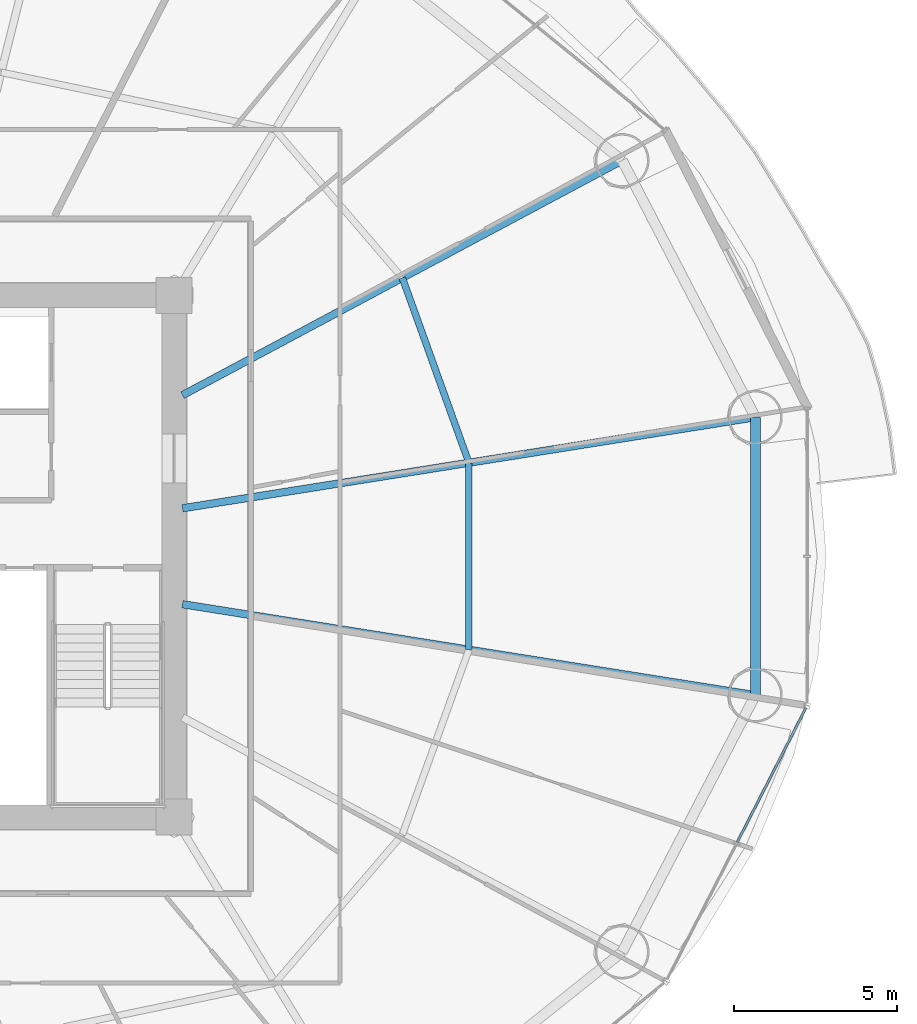
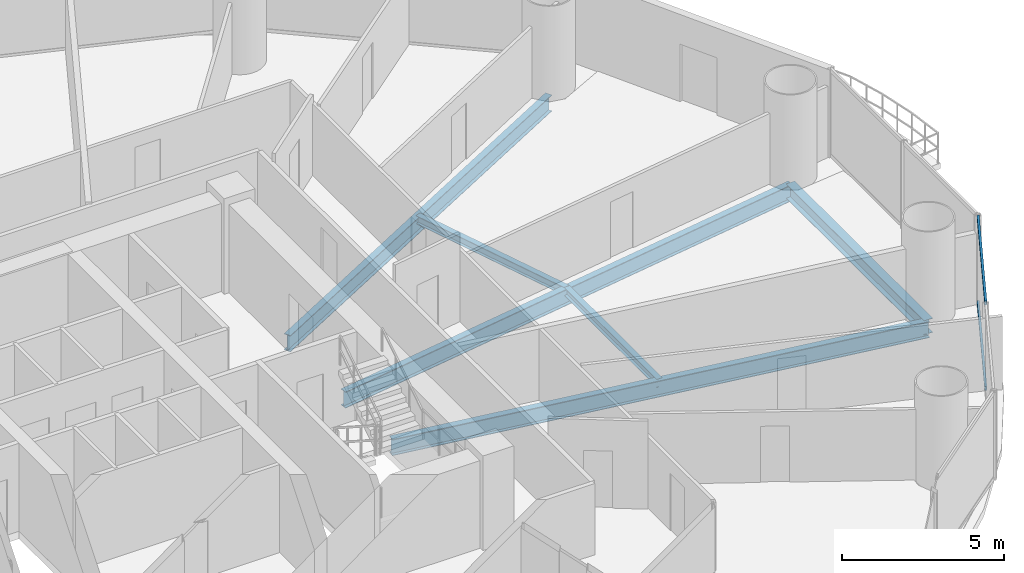
# One storey, part 13 of 30: 6 beams, 2 members, 1 element without a shape of its own.
"""IFC4 building model written with IfcOpenShell, lengths in metres."""

import ifcopenshell
import ifcopenshell.guid

model = None  # the IFC model being written
_history = None  # IfcOwnerHistory: only IFC2X3 demands one
_inside = {}  # id of a spatial element -> (the spatial element, [elements in it])
_under = {}  # id of a project, library or spatial element -> (it, [spatial elements below it])
_declared = {}  # id of a project -> (the project, [libraries it declares])
_typed = {}  # id of a type object -> (the type object, [elements of that type])
_made_of = {}  # id of a material, layer set ... -> (it, [elements and type objects made of it])


def new_model(schema):
    """Start an empty IFC model of exactly this schema.

    Asked for "IFC4X3", IfcOpenShell would pick the latest addendum, in which some entities
    have other attributes; the version numbers below select the first issue.
    IFC2X3 requires an IfcOwnerHistory on every rooted entity: one is made here for all.
    """
    global model, _history
    if schema == "IFC4X3":
        model = ifcopenshell.file(schema_version=(4, 3, 0, 0))
    else:
        model = ifcopenshell.file(schema=schema)
    _inside.clear()
    _under.clear()
    _declared.clear()
    _typed.clear()
    _made_of.clear()
    _history = None
    if model.schema == "IFC2X3":
        org = make("IfcOrganization", Name="unknown")
        user = make(
            "IfcPersonAndOrganization",
            ThePerson=make("IfcPerson", FamilyName="unknown"),
            TheOrganization=org,
        )
        app = make(
            "IfcApplication",
            ApplicationDeveloper=org,
            Version="unknown",
            ApplicationFullName="unknown",
            ApplicationIdentifier="unknown",
        )
        _history = make(
            "IfcOwnerHistory",
            OwningUser=user,
            OwningApplication=app,
            ChangeAction="ADDED",
            CreationDate=0,
        )
    return model


def make(cls, **values):
    """One entity of the class cls with the attributes given. An attribute that is None is left unset."""
    return model.create_entity(
        cls, **{name: value for name, value in values.items() if value is not None}
    )


def rooted(cls, **values):
    """An entity with a GlobalId (a new one), such as an element, a storey or a relation."""
    return make(cls, GlobalId=ifcopenshell.guid.new(), OwnerHistory=_history, **values)


def si_unit(unit_type, name, prefix=None):
    """IfcSIUnit, for example si_unit("LENGTHUNIT", "METRE", prefix="MILLI")."""
    return make("IfcSIUnit", UnitType=unit_type, Prefix=prefix, Name=name)


def assignment(units):
    """IfcUnitAssignment: the units of a project."""
    return None if units is None else make("IfcUnitAssignment", Units=units)


def point(xyz):
    """IfcCartesianPoint."""
    return None if xyz is None else make("IfcCartesianPoint", Coordinates=xyz)


def direction(xyz):
    """IfcDirection."""
    return None if xyz is None else make("IfcDirection", DirectionRatios=xyz)


def frame(location, z_axis=None, x_axis=None):
    """IfcAxis2Placement3D, a coordinate frame: its origin and axes. An axis left out is left unset."""
    return make(
        "IfcAxis2Placement3D",
        Location=point(location),
        Axis=direction(z_axis),
        RefDirection=direction(x_axis),
    )


def frame_2d(location, x_axis=None):
    """IfcAxis2Placement2D, a coordinate frame in the plane: its origin and x axis."""
    return make(
        "IfcAxis2Placement2D", Location=point(location), RefDirection=direction(x_axis)
    )


def origin():
    """The frame at (0, 0, 0) with its axes left unset."""
    return frame((0.0, 0.0, 0.0))


def origin_2d():
    """The frame at (0, 0) in the plane with its x axis left unset."""
    return frame_2d((0.0, 0.0))


def place(relative_to, where):
    """IfcLocalPlacement: puts the frame where relative to a parent placement (None: the world)."""
    return make(
        "IfcLocalPlacement", PlacementRelTo=relative_to, RelativePlacement=where
    )


def context(
    kind, dimensions, precision=None, world=None, true_north=None, identifier=None
):
    """IfcGeometricRepresentationContext, for example the 3D "Model" context."""
    return make(
        "IfcGeometricRepresentationContext",
        ContextIdentifier=identifier,
        ContextType=kind,
        CoordinateSpaceDimension=dimensions,
        Precision=precision,
        WorldCoordinateSystem=world,
        TrueNorth=true_north,
    )


def subcontext(parent, identifier, kind, view, scale=None):
    """IfcGeometricRepresentationSubContext, for example "Body" below "Model"."""
    return make(
        "IfcGeometricRepresentationSubContext",
        ContextIdentifier=identifier,
        ContextType=kind,
        ParentContext=parent,
        TargetScale=scale,
        TargetView=view,
    )


def project(units=None, contexts=None):
    """IfcProject with its units and contexts."""
    return rooted(
        "IfcProject",
        Name="project",
        RepresentationContexts=contexts,
        UnitsInContext=assignment(units),
    )


def spatial(cls, under=None, at=None, **own):
    """A site, building, storey or space (cls), placed at a placement, below another one or the project."""
    s = rooted(cls, ObjectPlacement=at, **own)
    if under is not None:
        _under.setdefault(under.id(), (under, []))[1].append(s)
    return s


def profile(cls, at=None, kind="AREA", **sizes):
    """A parametric profile (cls). Its sizes go by their IFC names, for example OverallWidth=200.0."""
    return make(cls, ProfileType=kind, Position=at, **sizes)


def hollow_rectangle(**sizes):
    """IfcRectangleHollowProfileDef."""
    return profile("IfcRectangleHollowProfileDef", **sizes)


def i_section(**sizes):
    """IfcIShapeProfileDef."""
    return profile("IfcIShapeProfileDef", **sizes)


def extrude(swept, where, along, depth):
    """IfcExtrudedAreaSolid: the profile swept, set in the frame where, extruded along a direction by depth."""
    return make(
        "IfcExtrudedAreaSolid",
        SweptArea=swept,
        Position=where,
        ExtrudedDirection=direction(along),
        Depth=depth,
    )


def shape(context_of_items, identifier, shape_type, items):
    """IfcShapeRepresentation: the items that make up one representation, for example the "Body"."""
    return make(
        "IfcShapeRepresentation",
        ContextOfItems=context_of_items,
        RepresentationIdentifier=identifier,
        RepresentationType=shape_type,
        Items=items,
    )


def source(mapping_origin, context_of_items, identifier, shape_type, items):
    """IfcRepresentationMap: a shape defined once, which mapped items show again and again."""
    return make(
        "IfcRepresentationMap",
        MappingOrigin=mapping_origin,
        MappedRepresentation=shape(context_of_items, identifier, shape_type, items),
    )


def transform(
    local_origin,
    x_axis=None,
    y_axis=None,
    z_axis=None,
    scale=None,
    scale2=None,
    scale3=None,
    uniform=True,
):
    """IfcCartesianTransformationOperator3D, or its non-uniform kind. x_axis, y_axis, z_axis: its Axis1, 2, 3."""
    if uniform:
        return make(
            "IfcCartesianTransformationOperator3D",
            Axis1=direction(x_axis),
            Axis2=direction(y_axis),
            LocalOrigin=point(local_origin),
            Scale=scale,
            Axis3=direction(z_axis),
        )
    return make(
        "IfcCartesianTransformationOperator3DnonUniform",
        Axis1=direction(x_axis),
        Axis2=direction(y_axis),
        LocalOrigin=point(local_origin),
        Scale=scale,
        Axis3=direction(z_axis),
        Scale2=scale2,
        Scale3=scale3,
    )


def mapped(mapping_source, mapping_target):
    """IfcMappedItem: shows the shape of a source again, moved by a transform."""
    return make(
        "IfcMappedItem", MappingSource=mapping_source, MappingTarget=mapping_target
    )


def material(Name=None, Category=None):
    """IfcMaterial."""
    return make("IfcMaterial", Name=Name, Category=Category)


def material_profile(
    of_material, cross_section, Name=None, Category=None, Priority=None
):
    """IfcMaterialProfile: a cross section and its material."""
    return make(
        "IfcMaterialProfile",
        Name=Name,
        Material=of_material,
        Profile=cross_section,
        Priority=Priority,
        Category=Category,
    )


def profile_set(profiles, Name=None, composite=None):
    """IfcMaterialProfileSet."""
    return make(
        "IfcMaterialProfileSet",
        Name=Name,
        MaterialProfiles=profiles,
        CompositeProfile=composite,
    )


def made_of(thing, what):
    """Note that an element or type object is made of a material, layer set ...; save() writes the relation."""
    if what is not None:
        _made_of.setdefault(what.id(), (what, []))[1].append(thing)
    return thing


def type_object(cls, material=None, **own):
    """A type object (cls), such as IfcWallType, which elements share."""
    return made_of(rooted(cls, **own), material)


def element(
    cls,
    number,
    at=None,
    inside=None,
    cuts=None,
    type_object=None,
    material=None,
    context=None,
    identifier="Body",
    shape_type=None,
    held_by="IfcProductDefinitionShape",
    body=None,
    shapes=None,
    **own,
):
    """One element of the class cls, such as IfcWall. Its Tag is "e" and its number.

    at: its placement. inside: the storey or other place that contains it. cuts: it is an
    opening in that element (IfcRelVoidsElement). A single representation is given by context,
    identifier, shape_type and body (its items); several are given by shapes. held_by: the class
    of the entity that holds the representations. save() writes the other relations.
    """
    e = rooted(cls, Tag="e%d" % number, ObjectPlacement=at, **own)
    if body is not None:
        shapes = [shape(context, identifier, shape_type, body)]
    if shapes is not None:
        e.Representation = make(held_by, Representations=shapes)
    if inside is not None:
        _inside.setdefault(inside.id(), (inside, []))[1].append(e)
    if cuts is not None:
        rooted(
            "IfcRelVoidsElement", RelatingBuildingElement=cuts, RelatedOpeningElement=e
        )
    if type_object is not None:
        _typed.setdefault(type_object.id(), (type_object, []))[1].append(e)
    return made_of(e, material)


def aggregate(whole, parts):
    """IfcRelAggregates: a whole, such as a stair, and the parts it consists of."""
    return rooted("IfcRelAggregates", RelatingObject=whole, RelatedObjects=parts)


def save(model, path):
    """Write the relations noted so far, then the file.

    IfcRelAggregates (storeys below a building ...), IfcRelContainedInSpatialStructure (elements
    in a storey), IfcRelDefinesByType, IfcRelAssociatesMaterial and IfcRelDeclares: one each for
    every whole, place, type object, material and project.
    """
    for whole, parts in _under.values():
        aggregate(whole, parts)
    for where, things in _inside.values():
        rooted(
            "IfcRelContainedInSpatialStructure",
            RelatedElements=things,
            RelatingStructure=where,
        )
    for kind, things in _typed.values():
        rooted("IfcRelDefinesByType", RelatedObjects=things, RelatingType=kind)
    for what, things in _made_of.values():
        rooted("IfcRelAssociatesMaterial", RelatedObjects=things, RelatingMaterial=what)
    for by, libraries in _declared.values():
        rooted("IfcRelDeclares", RelatingContext=by, RelatedDefinitions=libraries)
    model.write(path)


model = new_model("IFC4")

# Units and contexts
model_context = context("Model", 3, precision=1e-05, world=origin(), true_north=direction((-0.2419218956, 0.970295726276)))
body_context = subcontext(model_context, "Body", "Model", "MODEL_VIEW")
ifc_project = project(units=[si_unit("LENGTHUNIT", "METRE"), si_unit("AREAUNIT", "SQUARE_METRE"), si_unit("VOLUMEUNIT", "CUBIC_METRE"), si_unit("PLANEANGLEUNIT", "RADIAN"), si_unit("MASSUNIT", "GRAM", prefix="KILO")], contexts=[model_context])

# Site, building, storey
site_placement = place(None, origin())
site = spatial("IfcSite", under=ifc_project, at=site_placement, CompositionType="ELEMENT")
building_placement = place(site_placement, origin())
building = spatial("IfcBuilding", under=site, at=building_placement, Name="Cobrevalo Terracotta Tower", CompositionType="ELEMENT")
storey_placement = place(building_placement, frame((0.0, 0.0, 27.60009765625)))
storey = spatial("IfcBuildingStorey", under=building, at=storey_placement, Name="L06", CompositionType="ELEMENT", Elevation=27.60009765625)

# Beams
ifc_material_1 = material(Name="Steel S355", Category="steel")
ifc_material_profile_1 = material_profile(ifc_material_1, i_section(OverallWidth=0.22998046875, OverallDepth=0.616943359375, WebThickness=0.01318359375, FlangeThickness=0.022216796875, at=origin_2d()), Name="W 610x140")
ifc_profile_set_1 = profile_set([ifc_material_profile_1], Name="Steel S355")
beam_type_1 = type_object("IfcBeamType", Name="Structural Beam W 610x140 (Steel S355)", PredefinedType="BEAM", material=ifc_profile_set_1)
beam_1_placement = place(storey_placement, frame((64.824462890625, 31.062744140625, -0.588623046875), z_axis=(-0.987607924622, -0.156941349628, 0.0), x_axis=(0.156941349628, -0.987607924622, 0.0)))
element("IfcBeam", 1, at=beam_1_placement, inside=storey, type_object=beam_type_1, Name="L06 radial floor girder 01", PredefinedType="BEAM", context=body_context, shape_type="SweptSolid", body=[
    extrude(i_section(OverallWidth=0.22998046875, OverallDepth=0.616943359375, WebThickness=0.01318359375, FlangeThickness=0.022216796875, at=origin_2d()), origin(), (0.0, 0.0, 1.0), 17.7900390625),
])
beam_2_placement = place(storey_placement, frame((60.74072265625, 38.939208984375, -0.588623046875), z_axis=(-0.88218223571, -0.470908168329, 0.0), x_axis=(0.470908168329, -0.88218223571, 0.0)))
element("IfcBeam", 2, at=beam_2_placement, inside=storey, type_object=beam_type_1, Name="L06 radial floor girder 02", PredefinedType="BEAM", context=body_context, shape_type="SweptSolid", body=[
    extrude(i_section(OverallWidth=0.22998046875, OverallDepth=0.616943359375, WebThickness=0.01318359375, FlangeThickness=0.022216796875, at=origin_2d()), origin(), (0.0, 0.0, 1.0), 15.286865234375),
])
beam_3_placement = place(storey_placement, frame((64.824462890625, 22.537353515625, -0.588623046875), z_axis=(-0.987607924622, 0.156941349628, 0.0), x_axis=(-0.156941349628, -0.987607924622, 0.0)))
element("IfcBeam", 3, at=beam_3_placement, inside=storey, type_object=beam_type_1, Name="L06 radial floor girder 16", PredefinedType="BEAM", context=body_context, shape_type="SweptSolid", body=[
    extrude(i_section(OverallWidth=0.22998046875, OverallDepth=0.616943359375, WebThickness=0.01318359375, FlangeThickness=0.022216796875, at=origin_2d()), origin(), (0.0, 0.0, 1.0), 17.7900390625),
])
ifc_material_profile_2 = material_profile(ifc_material_1, i_section(OverallWidth=0.2041015625, OverallDepth=0.305908203125, WebThickness=0.008544921875, FlangeThickness=0.0146484375, at=origin_2d()), Name="W 310x67")
ifc_profile_set_2 = profile_set([ifc_material_profile_2], Name="Steel S355")
beam_type_2 = type_object("IfcBeamType", Name="Structural Joist W 310x67 (Steel S355)", PredefinedType="JOIST", material=ifc_profile_set_2)
beam_4_placement = place(storey_placement, frame((56.039794921875, 29.666748046875, -0.43310546875), z_axis=(-0.338672151116, 0.940904444701, 0.0), x_axis=(-0.940904444701, -0.338672151116, 0.0)))
element("IfcBeam", 4, at=beam_4_placement, inside=storey, type_object=beam_type_2, Name="L06 circumferential secondary floor joist 01", PredefinedType="JOIST", context=body_context, shape_type="SweptSolid", body=[
    extrude(i_section(OverallWidth=0.2041015625, OverallDepth=0.305908203125, WebThickness=0.008544921875, FlangeThickness=0.0146484375, at=origin_2d()), origin(), (0.0, 0.0, 1.0), 6.029296875),
])
beam_5_placement = place(storey_placement, frame((56.039794921875, 23.933349609375, -0.43310546875), z_axis=(0.0, 1.0, 0.0), x_axis=(-1.0, 0.0, 0.0)))
element("IfcBeam", 5, at=beam_5_placement, inside=storey, type_object=beam_type_2, Name="L06 circumferential secondary floor joist 16", PredefinedType="JOIST", context=body_context, shape_type="SweptSolid", body=[
    extrude(i_section(OverallWidth=0.2041015625, OverallDepth=0.305908203125, WebThickness=0.008544921875, FlangeThickness=0.0146484375, at=origin_2d()), origin(), (0.0, 0.0, 1.0), 5.7333984375),
])
ifc_material_profile_3 = material_profile(ifc_material_1, i_section(OverallWidth=0.31201171875, OverallDepth=0.54296875, WebThickness=0.0126953125, FlangeThickness=0.020263671875, at=origin_2d()), Name="W 530x150")
ifc_profile_set_3 = profile_set([ifc_material_profile_3], Name="Steel S355")
beam_type_3 = type_object("IfcBeamType", Name="Structural Spandrel W 530x150 (Steel S355)", PredefinedType="SPANDREL", material=ifc_profile_set_3)
beam_6_placement = place(storey_placement, frame((64.824462890625, 22.537353515625, -0.551513671875), z_axis=(0.0, 1.0, 0.0), x_axis=(-1.0, 0.0, 0.0)))
element("IfcBeam", 6, at=beam_6_placement, inside=storey, type_object=beam_type_3, Name="L06 perimeter ring spandrel 16", PredefinedType="SPANDREL", context=body_context, shape_type="SweptSolid", body=[
    extrude(i_section(OverallWidth=0.31201171875, OverallDepth=0.54296875, WebThickness=0.0126953125, FlangeThickness=0.020263671875, at=origin_2d()), origin(), (0.0, 0.0, 1.0), 8.525390625),
])

# Curtain wall, members
ifc_material_2 = material(Name="Anodized aluminium", Category="aluminium")
curtain_wall_type = type_object("IfcCurtainWallType", Name="Lower-tower unitised acoustic low-E curtain wall CW-U1", PredefinedType="NOTDEFINED", material=ifc_material_2)
curtain_wall_placement = place(storey_placement, origin())
curtain_wall = element("IfcCurtainWall", 7, at=curtain_wall_placement, inside=storey, type_object=curtain_wall_type, Name="L06 curtain wall CW-L06-S15", PredefinedType="NOTDEFINED")
ifc_material_profile_4 = material_profile(ifc_material_2, hollow_rectangle(XDim=0.074951171875, YDim=0.14990234375, WallThickness=0.00439453125, at=origin_2d()), Name="CWT 75x150")
ifc_profile_set_4 = profile_set([ifc_material_profile_4], Name="Anodized aluminium")
member_type = type_object("IfcMemberType", Name="Tower unitised aluminium transom 75x150", PredefinedType="USERDEFINED", material=ifc_profile_set_4)
shared_shape = source(origin(), body_context, "Body", "SweptSolid", [
    extrude(hollow_rectangle(XDim=0.074951171875, YDim=0.14990234375, WallThickness=0.00439453125, at=origin_2d()), origin(), (0.0, 0.0, 1.0), 4.630859375),
])
member_1_placement = place(storey_placement, frame((64.268798828125, 18.026611328125, 0.0498046875), z_axis=(0.455229952508, 0.890373904795, 0.0), x_axis=(-0.890373904795, 0.455229952508, 0.0)))
member_1 = element("IfcMember", 8, at=member_1_placement, type_object=member_type, Name="CW-L06-S15 transom B02-T1", ObjectType="TRANSOM", PredefinedType="USERDEFINED", context=body_context, shape_type="MappedRepresentation", body=[
    mapped(shared_shape, transform((0.0, 0.0, 0.0), scale=1.0)),
])
member_2_placement = place(storey_placement, frame((64.268798828125, 18.026611328125, 3.27001953125), z_axis=(0.455229952508, 0.890373904795, 0.0), x_axis=(-0.890373904795, 0.455229952508, 0.0)))
member_2 = element("IfcMember", 9, at=member_2_placement, type_object=member_type, Name="CW-L06-S15 transom B02-T2", ObjectType="TRANSOM", PredefinedType="USERDEFINED", context=body_context, shape_type="MappedRepresentation", body=[
    mapped(shared_shape, transform((0.0, 0.0, 0.0), scale=1.0)),
])
aggregate(curtain_wall, [member_1, member_2])

save(model, "model.ifc")
